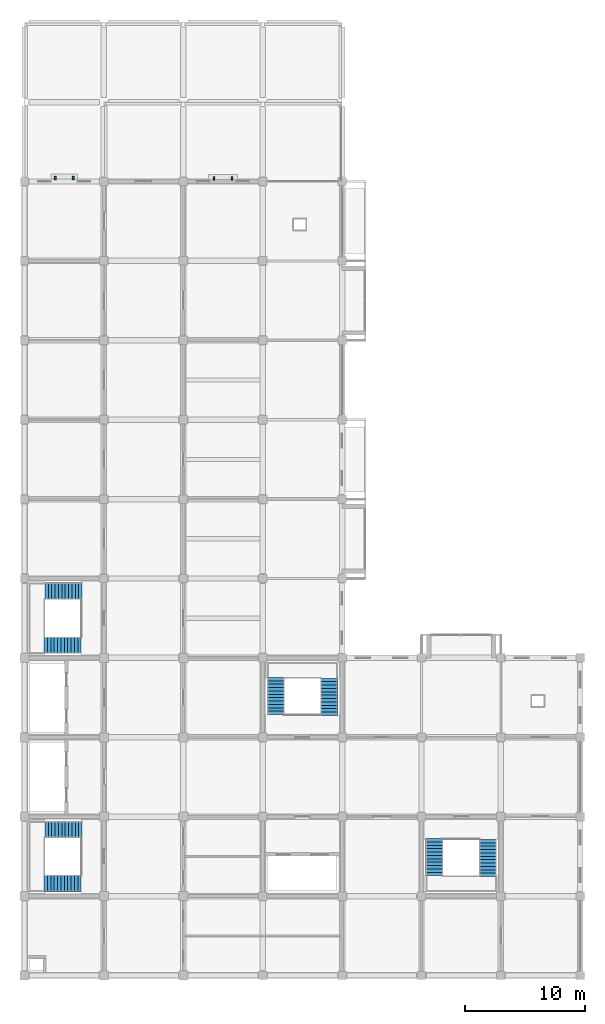
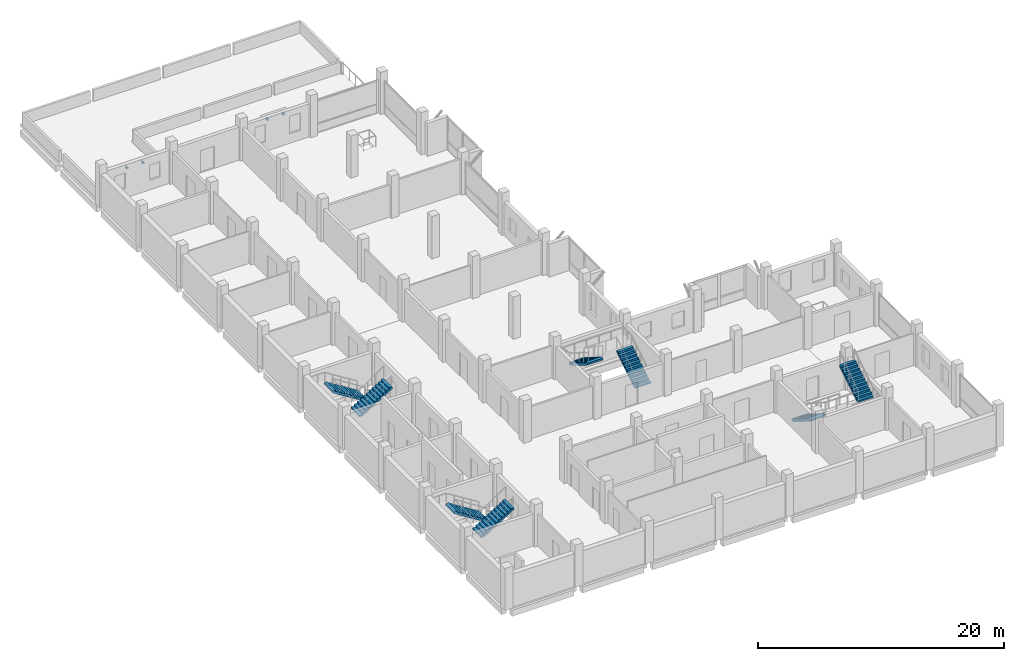
# One storey, part 11 of 13: 8 stair flights, 4 discrete accessories, 4 elements without a shape of their own.
"""IFC4 building model written with IfcOpenShell, lengths in metres."""

from ifc_helpers import new_model, si_unit, direction, frame, origin, origin_2d, place, context, subcontext, project, spatial, polyline, rectangle, outline, extrude, material, type_object, element, aggregate, save


model = new_model("IFC4")

# Units and contexts
model_context = context("Model", 3, precision=1e-05, world=origin(), true_north=direction((0.0, 1.0)))
body_context = subcontext(model_context, "Body", "Model", "MODEL_VIEW")
ifc_project = project(units=[si_unit("LENGTHUNIT", "METRE"), si_unit("AREAUNIT", "SQUARE_METRE"), si_unit("VOLUMEUNIT", "CUBIC_METRE"), si_unit("PLANEANGLEUNIT", "RADIAN"), si_unit("MASSUNIT", "GRAM", prefix="KILO")], contexts=[model_context])

# Site, building, storey
site_placement = place(None, origin())
site = spatial("IfcSite", under=ifc_project, at=site_placement, CompositionType="ELEMENT")
building_placement = place(site_placement, origin())
building = spatial("IfcBuilding", under=site, at=building_placement, Name="Rusizi Kubbe Research Institute", CompositionType="ELEMENT")
storey_placement = place(building_placement, frame((0.0, 0.0, 35.39990234375)))
storey = spatial("IfcBuildingStorey", under=building, at=storey_placement, Name="L08", CompositionType="ELEMENT", Elevation=35.39990234375)

# Stair, stair flights
ifc_material_1 = material(Name="Concrete C40/50", Category="concrete")
stair_type_1 = type_object("IfcStairType", Name="ST-H420A", PredefinedType="HALF_TURN_STAIR", material=ifc_material_1)
stair_1_placement = place(storey_placement, origin())
stair_1 = element("IfcStair", 1, at=stair_1_placement, inside=storey, type_object=stair_type_1, Name="Protected Exit Stair ST1 (L08)", PredefinedType="HALF_TURN_STAIR")
ifc_material_2 = material(Name="Concrete C40/50", Category="concrete")
stair_flight_type_1 = type_object("IfcStairFlightType", Name="FL-H420A", PredefinedType="STRAIGHT", material=ifc_material_2)
stair_flight_1_placement = place(storey_placement, frame((4.780029296875, 12.14990234375, 0.0), z_axis=(0.0, 0.0, 1.0), x_axis=(-1.0, 0.0, 0.0)))
stair_flight_1 = element("IfcStairFlight", 2, at=stair_flight_1_placement, type_object=stair_flight_type_1, Name="ST1 flight 1", NumberOfRisers=12, NumberOfTreads=11, PredefinedType="STRAIGHT", RiserHeight=0.175, TreadLength=0.28, context=body_context, shape_type="SweptSolid", body=[
    extrude(outline(polyline([(0.0, 0.0), (0.0, 0.175048828125), (0.280029296875, 0.175048828125), (0.280029296875, 0.35009765625), (0.56005859375, 0.35009765625), (0.56005859375, 0.52490234375), (0.840087890625, 0.52490234375), (0.840087890625, 0.699951171875), (1.1201171875, 0.699951171875), (1.1201171875, 0.875), (1.39990234375, 0.875), (1.39990234375, 1.050048828125), (1.679931640625, 1.050048828125), (1.679931640625, 1.22509765625), (1.9599609375, 1.22509765625), (1.9599609375, 1.39990234375), (2.239990234375, 1.39990234375), (2.239990234375, 1.574951171875), (2.52001953125, 1.574951171875), (2.52001953125, 1.75), (2.800048828125, 1.75), (2.800048828125, 1.925048828125), (3.080078125, 1.925048828125), (3.080078125, 2.10009765625), (3.080078125, 1.736328125), (0.3017578125, 0.0), (0.0, 0.0)])), frame((0.0, 0.699951171875, 0.0), z_axis=(0.0, -1.0, 0.0), x_axis=(1.0, 0.0, 0.0)), (0.0, 0.0, 1.0), 1.39990234375),
])
stair_flight_2_placement = place(storey_placement, frame((1.6259765625, 7.64990234375, 2.10009765625), z_axis=(0.0, 0.0, 1.0), x_axis=(1.0, 0.0, 0.0)))
stair_flight_2 = element("IfcStairFlight", 3, at=stair_flight_2_placement, type_object=stair_flight_type_1, Name="ST1 flight 2", NumberOfRisers=12, NumberOfTreads=11, PredefinedType="STRAIGHT", RiserHeight=0.175, TreadLength=0.28, context=body_context, shape_type="SweptSolid", body=[
    extrude(outline(polyline([(0.0, 0.0), (0.0, 0.175048828125), (0.280029296875, 0.175048828125), (0.280029296875, 0.35009765625), (0.56005859375, 0.35009765625), (0.56005859375, 0.52490234375), (0.840087890625, 0.52490234375), (0.840087890625, 0.699951171875), (1.1201171875, 0.699951171875), (1.1201171875, 0.875), (1.39990234375, 0.875), (1.39990234375, 1.050048828125), (1.679931640625, 1.050048828125), (1.679931640625, 1.22509765625), (1.9599609375, 1.22509765625), (1.9599609375, 1.39990234375), (2.239990234375, 1.39990234375), (2.239990234375, 1.574951171875), (2.52001953125, 1.574951171875), (2.52001953125, 1.75), (2.800048828125, 1.75), (2.800048828125, 1.925048828125), (3.080078125, 1.925048828125), (3.080078125, 2.10009765625), (3.080078125, 1.736328125), (0.3017578125, 0.0), (0.0, 0.0)])), frame((0.0, 0.699951171875, 0.0), z_axis=(0.0, -1.0, 0.0), x_axis=(1.0, 0.0, 0.0)), (0.0, 0.0, 1.0), 1.39990234375),
])
aggregate(stair_1, [stair_flight_1, stair_flight_2])

stair_2_placement = place(storey_placement, origin())
stair_2 = element("IfcStair", 4, at=stair_2_placement, inside=storey, type_object=stair_type_1, Name="Protected Exit Stair ST2 (L08)", PredefinedType="HALF_TURN_STAIR")
stair_flight_3_placement = place(storey_placement, frame((4.780029296875, 31.949951171875, 0.0), z_axis=(0.0, 0.0, 1.0), x_axis=(-1.0, 0.0, 0.0)))
stair_flight_3 = element("IfcStairFlight", 5, at=stair_flight_3_placement, type_object=stair_flight_type_1, Name="ST2 flight 1", NumberOfRisers=12, NumberOfTreads=11, PredefinedType="STRAIGHT", RiserHeight=0.175, TreadLength=0.28, context=body_context, shape_type="SweptSolid", body=[
    extrude(outline(polyline([(0.0, 0.0), (0.0, 0.175048828125), (0.280029296875, 0.175048828125), (0.280029296875, 0.35009765625), (0.56005859375, 0.35009765625), (0.56005859375, 0.52490234375), (0.840087890625, 0.52490234375), (0.840087890625, 0.699951171875), (1.1201171875, 0.699951171875), (1.1201171875, 0.875), (1.39990234375, 0.875), (1.39990234375, 1.050048828125), (1.679931640625, 1.050048828125), (1.679931640625, 1.22509765625), (1.9599609375, 1.22509765625), (1.9599609375, 1.39990234375), (2.239990234375, 1.39990234375), (2.239990234375, 1.574951171875), (2.52001953125, 1.574951171875), (2.52001953125, 1.75), (2.800048828125, 1.75), (2.800048828125, 1.925048828125), (3.080078125, 1.925048828125), (3.080078125, 2.10009765625), (3.080078125, 1.736328125), (0.3017578125, 0.0), (0.0, 0.0)])), frame((0.0, 0.699951171875, 0.0), z_axis=(0.0, -1.0, 0.0), x_axis=(1.0, 0.0, 0.0)), (0.0, 0.0, 1.0), 1.39990234375),
])
stair_flight_4_placement = place(storey_placement, frame((1.6259765625, 27.449951171875, 2.10009765625), z_axis=(0.0, 0.0, 1.0), x_axis=(1.0, 0.0, 0.0)))
stair_flight_4 = element("IfcStairFlight", 6, at=stair_flight_4_placement, type_object=stair_flight_type_1, Name="ST2 flight 2", NumberOfRisers=12, NumberOfTreads=11, PredefinedType="STRAIGHT", RiserHeight=0.175, TreadLength=0.28, context=body_context, shape_type="SweptSolid", body=[
    extrude(outline(polyline([(0.0, 0.0), (0.0, 0.175048828125), (0.280029296875, 0.175048828125), (0.280029296875, 0.35009765625), (0.56005859375, 0.35009765625), (0.56005859375, 0.52490234375), (0.840087890625, 0.52490234375), (0.840087890625, 0.699951171875), (1.1201171875, 0.699951171875), (1.1201171875, 0.875), (1.39990234375, 0.875), (1.39990234375, 1.050048828125), (1.679931640625, 1.050048828125), (1.679931640625, 1.22509765625), (1.9599609375, 1.22509765625), (1.9599609375, 1.39990234375), (2.239990234375, 1.39990234375), (2.239990234375, 1.574951171875), (2.52001953125, 1.574951171875), (2.52001953125, 1.75), (2.800048828125, 1.75), (2.800048828125, 1.925048828125), (3.080078125, 1.925048828125), (3.080078125, 2.10009765625), (3.080078125, 1.736328125), (0.3017578125, 0.0), (0.0, 0.0)])), frame((0.0, 0.699951171875, 0.0), z_axis=(0.0, -1.0, 0.0), x_axis=(1.0, 0.0, 0.0)), (0.0, 0.0, 1.0), 1.39990234375),
])
aggregate(stair_2, [stair_flight_3, stair_flight_4])

ifc_material_3 = material(Name="Concrete C40/50", Category="concrete")
stair_type_2 = type_object("IfcStairType", Name="ST-H420B", PredefinedType="HALF_TURN_STAIR", material=ifc_material_3)
stair_3_placement = place(storey_placement, origin())
stair_3 = element("IfcStair", 7, at=stair_3_placement, inside=storey, type_object=stair_type_2, Name="Protected Exit Stair ST3 (L08)", PredefinedType="HALF_TURN_STAIR")
ifc_material_4 = material(Name="Concrete C40/50", Category="concrete")
stair_flight_type_2 = type_object("IfcStairFlightType", Name="FL-H420B", PredefinedType="STRAIGHT", material=ifc_material_4)
stair_flight_5_placement = place(storey_placement, frame((25.324951171875, 21.6201171875, 0.0), z_axis=(0.0, 0.0, 1.0), x_axis=(0.0, 1.0, 0.0)))
stair_flight_5 = element("IfcStairFlight", 8, at=stair_flight_5_placement, type_object=stair_flight_type_2, Name="ST3 flight 1", NumberOfRisers=12, NumberOfTreads=11, PredefinedType="STRAIGHT", RiserHeight=0.175, TreadLength=0.28, context=body_context, shape_type="SweptSolid", body=[
    extrude(outline(polyline([(0.0, 0.0), (0.0, 0.175048828125), (0.280029296875, 0.175048828125), (0.280029296875, 0.35009765625), (0.56005859375, 0.35009765625), (0.56005859375, 0.52490234375), (0.840087890625, 0.52490234375), (0.840087890625, 0.699951171875), (1.1201171875, 0.699951171875), (1.1201171875, 0.875), (1.39990234375, 0.875), (1.39990234375, 1.050048828125), (1.679931640625, 1.050048828125), (1.679931640625, 1.22509765625), (1.9599609375, 1.22509765625), (1.9599609375, 1.39990234375), (2.239990234375, 1.39990234375), (2.239990234375, 1.574951171875), (2.52001953125, 1.574951171875), (2.52001953125, 1.75), (2.800048828125, 1.75), (2.800048828125, 1.925048828125), (3.080078125, 1.925048828125), (3.080078125, 2.10009765625), (3.080078125, 1.736328125), (0.3017578125, 0.0), (0.0, 0.0)])), frame((0.0, 0.72509765625, 0.0), z_axis=(0.0, -1.0, 0.0), x_axis=(1.0, 0.0, 0.0)), (0.0, 0.0, 1.0), 1.449951171875),
])
stair_flight_6_placement = place(storey_placement, frame((20.875, 24.77392578125, 2.10009765625), z_axis=(0.0, 0.0, 1.0), x_axis=(0.0, -1.0, 0.0)))
stair_flight_6 = element("IfcStairFlight", 9, at=stair_flight_6_placement, type_object=stair_flight_type_2, Name="ST3 flight 2", NumberOfRisers=12, NumberOfTreads=11, PredefinedType="STRAIGHT", RiserHeight=0.175, TreadLength=0.28, context=body_context, shape_type="SweptSolid", body=[
    extrude(outline(polyline([(0.0, 0.0), (0.0, 0.175048828125), (0.280029296875, 0.175048828125), (0.280029296875, 0.35009765625), (0.56005859375, 0.35009765625), (0.56005859375, 0.52490234375), (0.840087890625, 0.52490234375), (0.840087890625, 0.699951171875), (1.1201171875, 0.699951171875), (1.1201171875, 0.875), (1.39990234375, 0.875), (1.39990234375, 1.050048828125), (1.679931640625, 1.050048828125), (1.679931640625, 1.22509765625), (1.9599609375, 1.22509765625), (1.9599609375, 1.39990234375), (2.239990234375, 1.39990234375), (2.239990234375, 1.574951171875), (2.52001953125, 1.574951171875), (2.52001953125, 1.75), (2.800048828125, 1.75), (2.800048828125, 1.925048828125), (3.080078125, 1.925048828125), (3.080078125, 2.10009765625), (3.080078125, 1.736328125), (0.3017578125, 0.0), (0.0, 0.0)])), frame((0.0, 0.72509765625, 0.0), z_axis=(0.0, -1.0, 0.0), x_axis=(1.0, 0.0, 0.0)), (0.0, 0.0, 1.0), 1.449951171875),
])
aggregate(stair_3, [stair_flight_5, stair_flight_6])

stair_4_placement = place(storey_placement, origin())
stair_4 = element("IfcStair", 10, at=stair_4_placement, inside=storey, type_object=stair_type_2, Name="Protected Exit Stair ST4 (L08)", PredefinedType="HALF_TURN_STAIR")
stair_flight_7_placement = place(storey_placement, frame((34.074951171875, 11.3798828125, 0.0), z_axis=(0.0, 0.0, 1.0), x_axis=(0.0, -1.0, 0.0)))
stair_flight_7 = element("IfcStairFlight", 11, at=stair_flight_7_placement, type_object=stair_flight_type_2, Name="ST4 flight 1", NumberOfRisers=12, NumberOfTreads=11, PredefinedType="STRAIGHT", RiserHeight=0.175, TreadLength=0.28, context=body_context, shape_type="SweptSolid", body=[
    extrude(outline(polyline([(0.0, 0.0), (0.0, 0.175048828125), (0.280029296875, 0.175048828125), (0.280029296875, 0.35009765625), (0.56005859375, 0.35009765625), (0.56005859375, 0.52490234375), (0.840087890625, 0.52490234375), (0.840087890625, 0.699951171875), (1.1201171875, 0.699951171875), (1.1201171875, 0.875), (1.39990234375, 0.875), (1.39990234375, 1.050048828125), (1.679931640625, 1.050048828125), (1.679931640625, 1.22509765625), (1.9599609375, 1.22509765625), (1.9599609375, 1.39990234375), (2.239990234375, 1.39990234375), (2.239990234375, 1.574951171875), (2.52001953125, 1.574951171875), (2.52001953125, 1.75), (2.800048828125, 1.75), (2.800048828125, 1.925048828125), (3.080078125, 1.925048828125), (3.080078125, 2.10009765625), (3.080078125, 1.736328125), (0.3017578125, 0.0), (0.0, 0.0)])), frame((0.0, 0.72509765625, 0.0), z_axis=(0.0, -1.0, 0.0), x_axis=(1.0, 0.0, 0.0)), (0.0, 0.0, 1.0), 1.449951171875),
])
stair_flight_8_placement = place(storey_placement, frame((38.52490234375, 8.22607421875, 2.10009765625), z_axis=(0.0, 0.0, 1.0), x_axis=(0.0, 1.0, 0.0)))
stair_flight_8 = element("IfcStairFlight", 12, at=stair_flight_8_placement, type_object=stair_flight_type_2, Name="ST4 flight 2", NumberOfRisers=12, NumberOfTreads=11, PredefinedType="STRAIGHT", RiserHeight=0.175, TreadLength=0.28, context=body_context, shape_type="SweptSolid", body=[
    extrude(outline(polyline([(0.0, 0.0), (0.0, 0.175048828125), (0.280029296875, 0.175048828125), (0.280029296875, 0.35009765625), (0.56005859375, 0.35009765625), (0.56005859375, 0.52490234375), (0.840087890625, 0.52490234375), (0.840087890625, 0.699951171875), (1.1201171875, 0.699951171875), (1.1201171875, 0.875), (1.39990234375, 0.875), (1.39990234375, 1.050048828125), (1.679931640625, 1.050048828125), (1.679931640625, 1.22509765625), (1.9599609375, 1.22509765625), (1.9599609375, 1.39990234375), (2.239990234375, 1.39990234375), (2.239990234375, 1.574951171875), (2.52001953125, 1.574951171875), (2.52001953125, 1.75), (2.800048828125, 1.75), (2.800048828125, 1.925048828125), (3.080078125, 1.925048828125), (3.080078125, 2.10009765625), (3.080078125, 1.736328125), (0.3017578125, 0.0), (0.0, 0.0)])), frame((0.0, 0.72509765625, 0.0), z_axis=(0.0, -1.0, 0.0), x_axis=(1.0, 0.0, 0.0)), (0.0, 0.0, 1.0), 1.449951171875),
])
aggregate(stair_4, [stair_flight_7, stair_flight_8])

# Discrete accessories
ifc_material_5 = material(Name="Steel S355", Category="steel")
discrete_accessory_type = type_object("IfcDiscreteAccessoryType", Name="BK-02", PredefinedType="BRACKET", material=ifc_material_5)
for number, where, z_axis, x_axis, name in (
    (13, (2.550048828125, 66.277587890625, 2.52001953125), (0.0, 0.0, 1.0), (1.0, 0.0, 0.0), "Louver Canopy Bracket 43-1"),
    (14, (4.050048828125, 66.277587890625, 2.52001953125), (0.0, 0.0, 1.0), (1.0, 0.0, 0.0), "Louver Canopy Bracket 43-2"),
    (15, (15.75, 66.262451171875, 2.740234375), (0.0, 0.0, 1.0), (1.0, 0.0, 0.0), "Louver Canopy Bracket 44-1"),
    (16, (17.25, 66.262451171875, 2.740234375), (0.0, 0.0, 1.0), (1.0, 0.0, 0.0), "Louver Canopy Bracket 44-2"),
):
    element("IfcDiscreteAccessory", number, at=place(storey_placement, frame(where, z_axis=z_axis, x_axis=x_axis)), inside=storey, type_object=discrete_accessory_type, Name=name, PredefinedType="BRACKET", context=body_context, shape_type="SweptSolid", body=[
        extrude(rectangle(XDim=0.159912109375, YDim=0.280029296875, at=origin_2d()), origin(), (0.0, 0.0, 1.0), 0.179931640625),
    ])

save(model, "model.ifc")
